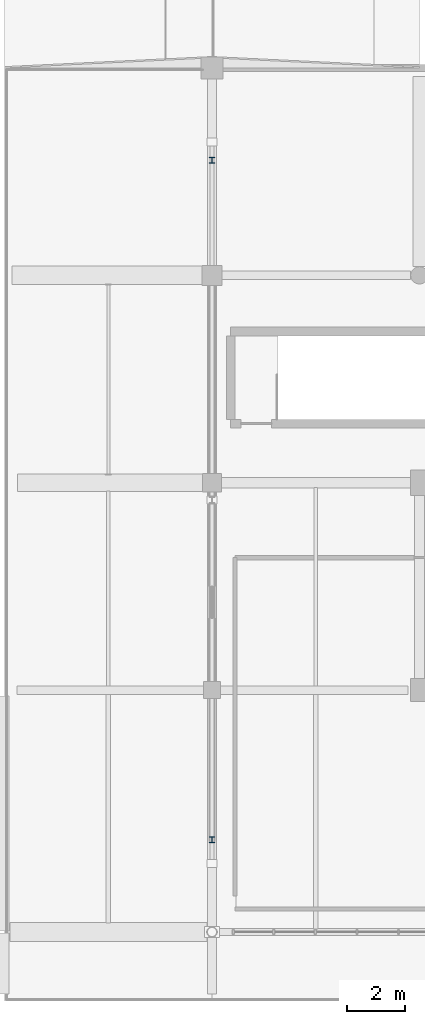
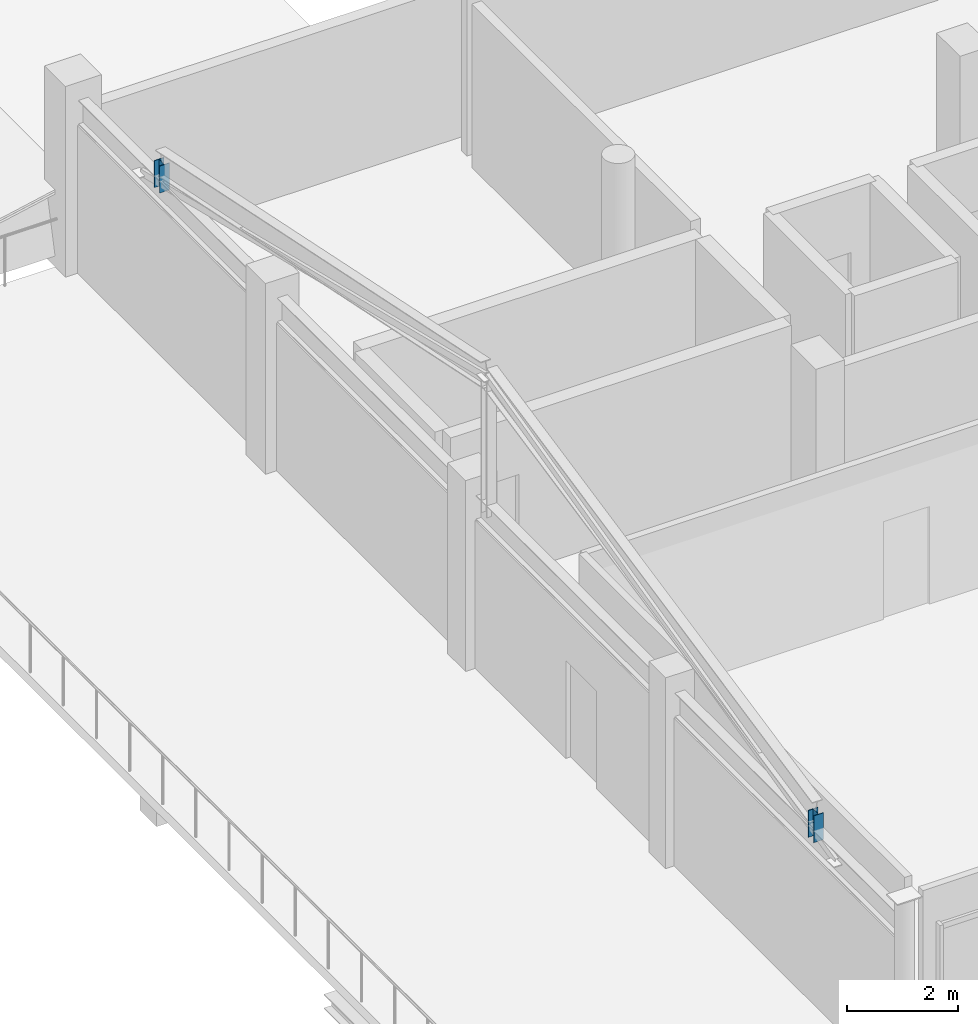
# One storey, part 17 of 41: 2 members.
"""IFC4 building model written with IfcOpenShell, lengths in metres."""

from ifc_helpers import new_model, si_unit, direction, frame, origin, origin_2d, place, context, subcontext, project, spatial, i_section, extrude, material, material_profile, profile_set, type_object, element, save


model = new_model("IFC4")

# Units and contexts
model_context = context("Model", 3, precision=1e-05, world=origin(), true_north=direction((0.0, 1.0)))
body_context = subcontext(model_context, "Body", "Model", "MODEL_VIEW")
ifc_project = project(units=[si_unit("LENGTHUNIT", "METRE"), si_unit("AREAUNIT", "SQUARE_METRE"), si_unit("VOLUMEUNIT", "CUBIC_METRE"), si_unit("PLANEANGLEUNIT", "RADIAN"), si_unit("MASSUNIT", "GRAM", prefix="KILO")], contexts=[model_context])

# Site, building, storey
site_placement = place(None, origin())
site = spatial("IfcSite", under=ifc_project, at=site_placement, CompositionType="ELEMENT")
building_placement = place(site_placement, origin())
building = spatial("IfcBuilding", under=site, at=building_placement, Name="Solanera Park Tramway Depot", CompositionType="ELEMENT")
storey_placement = place(building_placement, frame((0.0, 0.0, 13.199951171875)))
storey = spatial("IfcBuildingStorey", under=building, at=storey_placement, Name="L03", CompositionType="ELEMENT", Elevation=13.199951171875)

# Members
ifc_material = material(Name="Steel AS/NZS 3679.1 Grade 350", Category="steel")
ifc_material_profile = material_profile(ifc_material, i_section(OverallWidth=0.205078125, OverallDepth=0.209716796875, WebThickness=0.00927734375, FlangeThickness=0.01416015625, at=origin_2d()), Name="200UC59.5")
ifc_profile_set = profile_set([ifc_material_profile], Name="Steel AS/NZS 3679.1 Grade 350")
member_type = type_object("IfcMemberType", Name="Roof Gantry Compression Strut 200UC59.5", PredefinedType="STRUT", material=ifc_profile_set)
for number, where, z_axis, x_axis, name in (
    (1, (115.199951171875, 5.60009765625, 3.533447265625), (0.0, 0.0, 1.0), (1.0, 0.0, 0.0), "Hip ROOF TRUSS Heel Post #0125"),
    (2, (115.199951171875, 29.199951171875, 3.533447265625), (0.0, 0.0, 1.0), (1.0, 0.0, 0.0), "Hip ROOF TRUSS Heel Post #0126"),
):
    element("IfcMember", number, at=place(storey_placement, frame(where, z_axis=z_axis, x_axis=x_axis)), inside=storey, type_object=member_type, Name=name, PredefinedType="STRUT", context=body_context, shape_type="SweptSolid", body=[
        extrude(i_section(OverallWidth=0.205078125, OverallDepth=0.209716796875, WebThickness=0.00927734375, FlangeThickness=0.01416015625, at=origin_2d()), origin(), (0.0, 0.0, 1.0), 0.593017578125),
    ])

save(model, "model.ifc")
